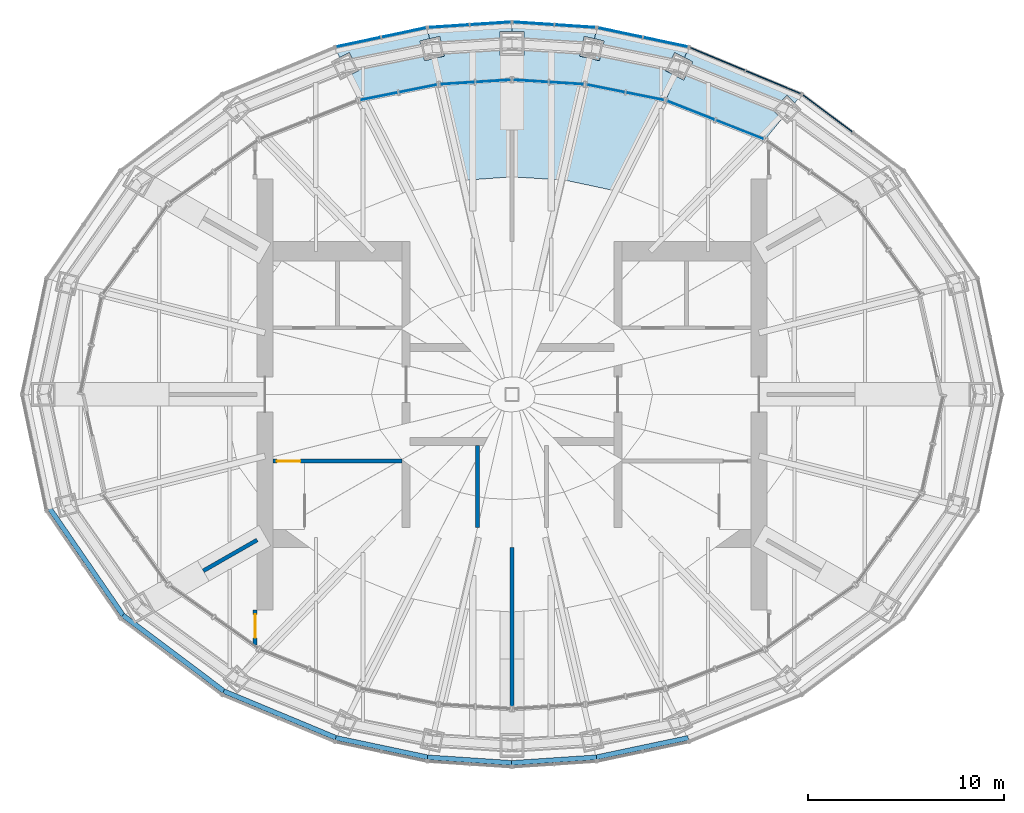
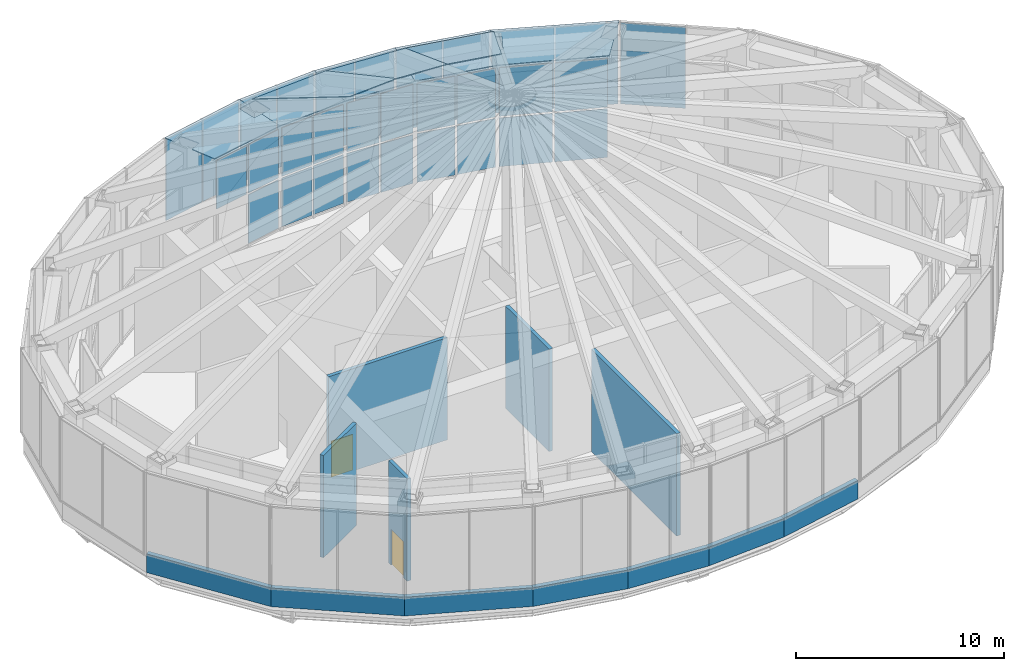
# One storey, part 18 of 21: 38 plates, 12 walls, 2 doors, 2 openings, 11 elements without a shape of their own.
"""IFC4 building model written with IfcOpenShell, lengths in metres."""

import ifcopenshell
import ifcopenshell.guid

model = None  # the IFC model being written
_history = None  # IfcOwnerHistory: only IFC2X3 demands one
_inside = {}  # id of a spatial element -> (the spatial element, [elements in it])
_under = {}  # id of a project, library or spatial element -> (it, [spatial elements below it])
_declared = {}  # id of a project -> (the project, [libraries it declares])
_typed = {}  # id of a type object -> (the type object, [elements of that type])
_made_of = {}  # id of a material, layer set ... -> (it, [elements and type objects made of it])


def new_model(schema):
    """Start an empty IFC model of exactly this schema.

    Asked for "IFC4X3", IfcOpenShell would pick the latest addendum, in which some entities
    have other attributes; the version numbers below select the first issue.
    IFC2X3 requires an IfcOwnerHistory on every rooted entity: one is made here for all.
    """
    global model, _history
    if schema == "IFC4X3":
        model = ifcopenshell.file(schema_version=(4, 3, 0, 0))
    else:
        model = ifcopenshell.file(schema=schema)
    _inside.clear()
    _under.clear()
    _declared.clear()
    _typed.clear()
    _made_of.clear()
    _history = None
    if model.schema == "IFC2X3":
        org = make("IfcOrganization", Name="unknown")
        user = make(
            "IfcPersonAndOrganization",
            ThePerson=make("IfcPerson", FamilyName="unknown"),
            TheOrganization=org,
        )
        app = make(
            "IfcApplication",
            ApplicationDeveloper=org,
            Version="unknown",
            ApplicationFullName="unknown",
            ApplicationIdentifier="unknown",
        )
        _history = make(
            "IfcOwnerHistory",
            OwningUser=user,
            OwningApplication=app,
            ChangeAction="ADDED",
            CreationDate=0,
        )
    return model


def make(cls, **values):
    """One entity of the class cls with the attributes given. An attribute that is None is left unset."""
    return model.create_entity(
        cls, **{name: value for name, value in values.items() if value is not None}
    )


def rooted(cls, **values):
    """An entity with a GlobalId (a new one), such as an element, a storey or a relation."""
    return make(cls, GlobalId=ifcopenshell.guid.new(), OwnerHistory=_history, **values)


def si_unit(unit_type, name, prefix=None):
    """IfcSIUnit, for example si_unit("LENGTHUNIT", "METRE", prefix="MILLI")."""
    return make("IfcSIUnit", UnitType=unit_type, Prefix=prefix, Name=name)


def assignment(units):
    """IfcUnitAssignment: the units of a project."""
    return None if units is None else make("IfcUnitAssignment", Units=units)


def point(xyz):
    """IfcCartesianPoint."""
    return None if xyz is None else make("IfcCartesianPoint", Coordinates=xyz)


def direction(xyz):
    """IfcDirection."""
    return None if xyz is None else make("IfcDirection", DirectionRatios=xyz)


def frame(location, z_axis=None, x_axis=None):
    """IfcAxis2Placement3D, a coordinate frame: its origin and axes. An axis left out is left unset."""
    return make(
        "IfcAxis2Placement3D",
        Location=point(location),
        Axis=direction(z_axis),
        RefDirection=direction(x_axis),
    )


def frame_2d(location, x_axis=None):
    """IfcAxis2Placement2D, a coordinate frame in the plane: its origin and x axis."""
    return make(
        "IfcAxis2Placement2D", Location=point(location), RefDirection=direction(x_axis)
    )


def origin():
    """The frame at (0, 0, 0) with its axes left unset."""
    return frame((0.0, 0.0, 0.0))


def origin_2d():
    """The frame at (0, 0) in the plane with its x axis left unset."""
    return frame_2d((0.0, 0.0))


def place(relative_to, where):
    """IfcLocalPlacement: puts the frame where relative to a parent placement (None: the world)."""
    return make(
        "IfcLocalPlacement", PlacementRelTo=relative_to, RelativePlacement=where
    )


def context(
    kind, dimensions, precision=None, world=None, true_north=None, identifier=None
):
    """IfcGeometricRepresentationContext, for example the 3D "Model" context."""
    return make(
        "IfcGeometricRepresentationContext",
        ContextIdentifier=identifier,
        ContextType=kind,
        CoordinateSpaceDimension=dimensions,
        Precision=precision,
        WorldCoordinateSystem=world,
        TrueNorth=true_north,
    )


def subcontext(parent, identifier, kind, view, scale=None):
    """IfcGeometricRepresentationSubContext, for example "Body" below "Model"."""
    return make(
        "IfcGeometricRepresentationSubContext",
        ContextIdentifier=identifier,
        ContextType=kind,
        ParentContext=parent,
        TargetScale=scale,
        TargetView=view,
    )


def project(units=None, contexts=None):
    """IfcProject with its units and contexts."""
    return rooted(
        "IfcProject",
        Name="project",
        RepresentationContexts=contexts,
        UnitsInContext=assignment(units),
    )


def spatial(cls, under=None, at=None, **own):
    """A site, building, storey or space (cls), placed at a placement, below another one or the project."""
    s = rooted(cls, ObjectPlacement=at, **own)
    if under is not None:
        _under.setdefault(under.id(), (under, []))[1].append(s)
    return s


def polyline(points):
    """IfcPolyline through the points."""
    return make("IfcPolyline", Points=[point(p) for p in points])


def profile(cls, at=None, kind="AREA", **sizes):
    """A parametric profile (cls). Its sizes go by their IFC names, for example OverallWidth=200.0."""
    return make(cls, ProfileType=kind, Position=at, **sizes)


def rectangle(**sizes):
    """IfcRectangleProfileDef."""
    return profile("IfcRectangleProfileDef", **sizes)


def outline(outer, holes=None, kind="AREA"):
    """IfcArbitraryClosedProfileDef: a profile drawn as a closed curve; with holes, ...WithVoids."""
    if holes is None:
        return make("IfcArbitraryClosedProfileDef", ProfileType=kind, OuterCurve=outer)
    return make(
        "IfcArbitraryProfileDefWithVoids",
        ProfileType=kind,
        OuterCurve=outer,
        InnerCurves=holes,
    )


def extrude(swept, where, along, depth):
    """IfcExtrudedAreaSolid: the profile swept, set in the frame where, extruded along a direction by depth."""
    return make(
        "IfcExtrudedAreaSolid",
        SweptArea=swept,
        Position=where,
        ExtrudedDirection=direction(along),
        Depth=depth,
    )


def shape(context_of_items, identifier, shape_type, items):
    """IfcShapeRepresentation: the items that make up one representation, for example the "Body"."""
    return make(
        "IfcShapeRepresentation",
        ContextOfItems=context_of_items,
        RepresentationIdentifier=identifier,
        RepresentationType=shape_type,
        Items=items,
    )


def material(Name=None, Category=None):
    """IfcMaterial."""
    return make("IfcMaterial", Name=Name, Category=Category)


def layer(
    of_material, thickness, ventilated=None, Name=None, Category=None, Priority=None
):
    """IfcMaterialLayer: one layer of a wall or slab, of a material (None: an air gap)."""
    return make(
        "IfcMaterialLayer",
        Material=of_material,
        LayerThickness=thickness,
        IsVentilated=ventilated,
        Name=Name,
        Category=Category,
        Priority=Priority,
    )


def layer_set(layers, Name=None):
    """IfcMaterialLayerSet."""
    return make("IfcMaterialLayerSet", MaterialLayers=layers, LayerSetName=Name)


def made_of(thing, what):
    """Note that an element or type object is made of a material, layer set ...; save() writes the relation."""
    if what is not None:
        _made_of.setdefault(what.id(), (what, []))[1].append(thing)
    return thing


def type_object(cls, material=None, **own):
    """A type object (cls), such as IfcWallType, which elements share."""
    return made_of(rooted(cls, **own), material)


def element(
    cls,
    number,
    at=None,
    inside=None,
    cuts=None,
    type_object=None,
    material=None,
    context=None,
    identifier="Body",
    shape_type=None,
    held_by="IfcProductDefinitionShape",
    body=None,
    shapes=None,
    **own,
):
    """One element of the class cls, such as IfcWall. Its Tag is "e" and its number.

    at: its placement. inside: the storey or other place that contains it. cuts: it is an
    opening in that element (IfcRelVoidsElement). A single representation is given by context,
    identifier, shape_type and body (its items); several are given by shapes. held_by: the class
    of the entity that holds the representations. save() writes the other relations.
    """
    e = rooted(cls, Tag="e%d" % number, ObjectPlacement=at, **own)
    if body is not None:
        shapes = [shape(context, identifier, shape_type, body)]
    if shapes is not None:
        e.Representation = make(held_by, Representations=shapes)
    if inside is not None:
        _inside.setdefault(inside.id(), (inside, []))[1].append(e)
    if cuts is not None:
        rooted(
            "IfcRelVoidsElement", RelatingBuildingElement=cuts, RelatedOpeningElement=e
        )
    if type_object is not None:
        _typed.setdefault(type_object.id(), (type_object, []))[1].append(e)
    return made_of(e, material)


def fill(opening, filler):
    """IfcRelFillsElement: the door or window that sits in an opening."""
    return rooted(
        "IfcRelFillsElement",
        RelatingOpeningElement=opening,
        RelatedBuildingElement=filler,
    )


def aggregate(whole, parts):
    """IfcRelAggregates: a whole, such as a stair, and the parts it consists of."""
    return rooted("IfcRelAggregates", RelatingObject=whole, RelatedObjects=parts)


def save(model, path):
    """Write the relations noted so far, then the file.

    IfcRelAggregates (storeys below a building ...), IfcRelContainedInSpatialStructure (elements
    in a storey), IfcRelDefinesByType, IfcRelAssociatesMaterial and IfcRelDeclares: one each for
    every whole, place, type object, material and project.
    """
    for whole, parts in _under.values():
        aggregate(whole, parts)
    for where, things in _inside.values():
        rooted(
            "IfcRelContainedInSpatialStructure",
            RelatedElements=things,
            RelatingStructure=where,
        )
    for kind, things in _typed.values():
        rooted("IfcRelDefinesByType", RelatedObjects=things, RelatingType=kind)
    for what, things in _made_of.values():
        rooted("IfcRelAssociatesMaterial", RelatedObjects=things, RelatingMaterial=what)
    for by, libraries in _declared.values():
        rooted("IfcRelDeclares", RelatingContext=by, RelatedDefinitions=libraries)
    model.write(path)


model = new_model("IFC4")

# Units and contexts
model_context = context("Model", 3, precision=1e-05, world=origin(), true_north=direction((0.0, 1.0)))
body_context = subcontext(model_context, "Body", "Model", "MODEL_VIEW")
ifc_project = project(units=[si_unit("LENGTHUNIT", "METRE"), si_unit("AREAUNIT", "SQUARE_METRE"), si_unit("VOLUMEUNIT", "CUBIC_METRE"), si_unit("PLANEANGLEUNIT", "RADIAN"), si_unit("MASSUNIT", "GRAM", prefix="KILO")], contexts=[model_context])

# Site, building, storey
site_placement = place(None, origin())
site = spatial("IfcSite", under=ifc_project, at=site_placement, CompositionType="ELEMENT")
building_placement = place(site_placement, origin())
building = spatial("IfcBuilding", under=site, at=building_placement, Name="Lantaw Convention Tower", CompositionType="ELEMENT")
storey_placement = place(building_placement, frame((0.0, 0.0, 290.39990234375)))
storey = spatial("IfcBuildingStorey", under=building, at=storey_placement, Name="L67", CompositionType="ELEMENT", Elevation=290.39990234375)

# Curtain wall, plates
ifc_material_1 = material(Name="Aluminium framed curtain wall", Category="aluminium")
curtain_wall_type_1 = type_object("IfcCurtainWallType", Name="LANTERN glazing curtain wall, pale aluminium", PredefinedType="USERDEFINED", material=ifc_material_1)
curtain_wall_1_placement = place(storey_placement, origin())
curtain_wall_1 = element("IfcCurtainWall", 1, at=curtain_wall_1_placement, inside=storey, type_object=curtain_wall_type_1, Name="LANTERN glazing curtain wall, pale aluminium L67", ObjectType="LANTERN GLAZING", PredefinedType="USERDEFINED")
ifc_material_2 = material(Name="Low-iron laminated glass", Category="glass")
ifc_layer_1 = layer(ifc_material_2, 0.035888671875)
ifc_layer_set_1 = layer_set([ifc_layer_1], Name="CW-LN panel 36")
plate_type_1 = type_object("IfcPlateType", Name="CW-LN panel 36", PredefinedType="CURTAIN_PANEL", material=ifc_layer_set_1)
plate_1_placement = place(storey_placement, frame((11.615234375, 13.50439453125, 0.10009765625), z_axis=(0.0, 0.0, 1.0), x_axis=(-0.930299050885, 0.366801957358, 0.0)))
plate_1 = element("IfcPlate", 2, at=plate_1_placement, type_object=plate_type_1, Name="CW-LN panel 1.1", PredefinedType="CURTAIN_PANEL", context=body_context, shape_type="SweptSolid", body=[
    extrude(rectangle(XDim=2.574462890625, YDim=0.035888671875, at=origin_2d()), origin(), (0.0, 0.0, 1.0), 2.85009765625),
])
plate_2_placement = place(storey_placement, frame((11.615234375, 13.50439453125, 3.050048828125), z_axis=(0.0, 0.0, 1.0), x_axis=(-0.930299050885, 0.366801957358, 0.0)))
plate_2 = element("IfcPlate", 3, at=plate_2_placement, type_object=plate_type_1, Name="CW-LN panel 1.2", PredefinedType="CURTAIN_PANEL", context=body_context, shape_type="SweptSolid", body=[
    extrude(rectangle(XDim=2.574462890625, YDim=0.035888671875, at=origin_2d()), origin(), (0.0, 0.0, 1.0), 2.85009765625),
])
plate_3_placement = place(storey_placement, frame((9.127197265625, 14.4853515625, 0.10009765625), z_axis=(0.0, 0.0, 1.0), x_axis=(-0.930299050885, 0.366801957358, 0.0)))
plate_3 = element("IfcPlate", 4, at=plate_3_placement, type_object=plate_type_1, Name="CW-LN panel 2.1", PredefinedType="CURTAIN_PANEL", context=body_context, shape_type="SweptSolid", body=[
    extrude(rectangle(XDim=2.574462890625, YDim=0.035888671875, at=origin_2d()), origin(), (0.0, 0.0, 1.0), 2.85009765625),
])
plate_4_placement = place(storey_placement, frame((9.127197265625, 14.4853515625, 3.050048828125), z_axis=(0.0, 0.0, 1.0), x_axis=(-0.930299050885, 0.366801957358, 0.0)))
plate_4 = element("IfcPlate", 5, at=plate_4_placement, type_object=plate_type_1, Name="CW-LN panel 2.2", PredefinedType="CURTAIN_PANEL", context=body_context, shape_type="SweptSolid", body=[
    extrude(rectangle(XDim=2.574462890625, YDim=0.035888671875, at=origin_2d()), origin(), (0.0, 0.0, 1.0), 2.85009765625),
])
aggregate(curtain_wall_1, [plate_1, plate_2, plate_3, plate_4])

curtain_wall_2_placement = place(storey_placement, origin())
curtain_wall_2 = element("IfcCurtainWall", 6, at=curtain_wall_2_placement, inside=storey, type_object=curtain_wall_type_1, Name="LANTERN glazing curtain wall, pale aluminium L67", ObjectType="LANTERN GLAZING", PredefinedType="USERDEFINED")
plate_5_placement = place(storey_placement, frame((6.789306640625, 15.2041015625, 0.10009765625), z_axis=(0.0, 0.0, 1.0), x_axis=(-0.980530423622, 0.196367228305, 0.0)))
plate_5 = element("IfcPlate", 7, at=plate_5_placement, type_object=plate_type_1, Name="CW-LN panel 1.1", PredefinedType="CURTAIN_PANEL", context=body_context, shape_type="SweptSolid", body=[
    extrude(rectangle(XDim=1.936279296875, YDim=0.035888671875, at=origin_2d()), origin(), (0.0, 0.0, 1.0), 2.85009765625),
])
plate_6_placement = place(storey_placement, frame((6.789306640625, 15.2041015625, 3.050048828125), z_axis=(0.0, 0.0, 1.0), x_axis=(-0.980530423622, 0.196367228305, 0.0)))
plate_6 = element("IfcPlate", 8, at=plate_6_placement, type_object=plate_type_1, Name="CW-LN panel 1.2", PredefinedType="CURTAIN_PANEL", context=body_context, shape_type="SweptSolid", body=[
    extrude(rectangle(XDim=1.936279296875, YDim=0.035888671875, at=origin_2d()), origin(), (0.0, 0.0, 1.0), 2.85009765625),
])
plate_7_placement = place(storey_placement, frame((4.792724609375, 15.60400390625, 0.10009765625), z_axis=(0.0, 0.0, 1.0), x_axis=(-0.980530423622, 0.196367228305, 0.0)))
plate_7 = element("IfcPlate", 9, at=plate_7_placement, type_object=plate_type_1, Name="CW-LN panel 2.1", PredefinedType="CURTAIN_PANEL", context=body_context, shape_type="SweptSolid", body=[
    extrude(rectangle(XDim=1.936279296875, YDim=0.035888671875, at=origin_2d()), origin(), (0.0, 0.0, 1.0), 2.85009765625),
])
plate_8_placement = place(storey_placement, frame((4.792724609375, 15.60400390625, 3.050048828125), z_axis=(0.0, 0.0, 1.0), x_axis=(-0.980530423622, 0.196367228305, 0.0)))
plate_8 = element("IfcPlate", 10, at=plate_8_placement, type_object=plate_type_1, Name="CW-LN panel 2.2", PredefinedType="CURTAIN_PANEL", context=body_context, shape_type="SweptSolid", body=[
    extrude(rectangle(XDim=1.936279296875, YDim=0.035888671875, at=origin_2d()), origin(), (0.0, 0.0, 1.0), 2.85009765625),
])
aggregate(curtain_wall_2, [plate_5, plate_6, plate_7, plate_8])

curtain_wall_3_placement = place(storey_placement, origin())
curtain_wall_3 = element("IfcCurtainWall", 11, at=curtain_wall_3_placement, inside=storey, type_object=curtain_wall_type_1, Name="LANTERN glazing curtain wall, pale aluminium L67", ObjectType="LANTERN GLAZING", PredefinedType="USERDEFINED")
plate_9_placement = place(storey_placement, frame((2.783935546875, 15.873779296875, 0.10009765625), z_axis=(0.0, 0.0, 1.0), x_axis=(-0.998045676091, 0.062488626454, 0.0)))
plate_9 = element("IfcPlate", 12, at=plate_9_placement, type_object=plate_type_1, Name="CW-LN panel 1.1", PredefinedType="CURTAIN_PANEL", context=body_context, shape_type="SweptSolid", body=[
    extrude(rectangle(XDim=1.726318359375, YDim=0.035888671875, at=origin_2d()), origin(), (0.0, 0.0, 1.0), 2.85009765625),
])
plate_10_placement = place(storey_placement, frame((2.783935546875, 15.873779296875, 3.050048828125), z_axis=(0.0, 0.0, 1.0), x_axis=(-0.998045676091, 0.062488626454, 0.0)))
plate_10 = element("IfcPlate", 13, at=plate_10_placement, type_object=plate_type_1, Name="CW-LN panel 1.2", PredefinedType="CURTAIN_PANEL", context=body_context, shape_type="SweptSolid", body=[
    extrude(rectangle(XDim=1.726318359375, YDim=0.035888671875, at=origin_2d()), origin(), (0.0, 0.0, 1.0), 2.85009765625),
])
plate_11_placement = place(storey_placement, frame((0.961181640625, 15.988037109375, 0.10009765625), z_axis=(0.0, 0.0, 1.0), x_axis=(-0.998045676091, 0.062488626454, 0.0)))
plate_11 = element("IfcPlate", 14, at=plate_11_placement, type_object=plate_type_1, Name="CW-LN panel 2.1", PredefinedType="CURTAIN_PANEL", context=body_context, shape_type="SweptSolid", body=[
    extrude(rectangle(XDim=1.726318359375, YDim=0.035888671875, at=origin_2d()), origin(), (0.0, 0.0, 1.0), 2.85009765625),
])
plate_12_placement = place(storey_placement, frame((0.961181640625, 15.988037109375, 3.050048828125), z_axis=(0.0, 0.0, 1.0), x_axis=(-0.998045676091, 0.062488626454, 0.0)))
plate_12 = element("IfcPlate", 15, at=plate_12_placement, type_object=plate_type_1, Name="CW-LN panel 2.2", PredefinedType="CURTAIN_PANEL", context=body_context, shape_type="SweptSolid", body=[
    extrude(rectangle(XDim=1.726318359375, YDim=0.035888671875, at=origin_2d()), origin(), (0.0, 0.0, 1.0), 2.85009765625),
])
aggregate(curtain_wall_3, [plate_9, plate_10, plate_11, plate_12])

curtain_wall_4_placement = place(storey_placement, origin())
curtain_wall_4 = element("IfcCurtainWall", 16, at=curtain_wall_4_placement, inside=storey, type_object=curtain_wall_type_1, Name="LANTERN glazing curtain wall, pale aluminium L67", ObjectType="LANTERN GLAZING", PredefinedType="USERDEFINED")
plate_13_placement = place(storey_placement, frame((-0.961181640625, 15.988037109375, 0.10009765625), z_axis=(0.0, 0.0, 1.0), x_axis=(-0.998045676091, -0.062488626454, 0.0)))
plate_13 = element("IfcPlate", 17, at=plate_13_placement, type_object=plate_type_1, Name="CW-LN panel 1.1", PredefinedType="CURTAIN_PANEL", context=body_context, shape_type="SweptSolid", body=[
    extrude(rectangle(XDim=1.726318359375, YDim=0.035888671875, at=origin_2d()), origin(), (0.0, 0.0, 1.0), 2.85009765625),
])
plate_14_placement = place(storey_placement, frame((-0.961181640625, 15.988037109375, 3.050048828125), z_axis=(0.0, 0.0, 1.0), x_axis=(-0.998045676091, -0.062488626454, 0.0)))
plate_14 = element("IfcPlate", 18, at=plate_14_placement, type_object=plate_type_1, Name="CW-LN panel 1.2", PredefinedType="CURTAIN_PANEL", context=body_context, shape_type="SweptSolid", body=[
    extrude(rectangle(XDim=1.726318359375, YDim=0.035888671875, at=origin_2d()), origin(), (0.0, 0.0, 1.0), 2.85009765625),
])
plate_15_placement = place(storey_placement, frame((-2.783935546875, 15.873779296875, 0.10009765625), z_axis=(0.0, 0.0, 1.0), x_axis=(-0.998045676091, -0.062488626454, 0.0)))
plate_15 = element("IfcPlate", 19, at=plate_15_placement, type_object=plate_type_1, Name="CW-LN panel 2.1", PredefinedType="CURTAIN_PANEL", context=body_context, shape_type="SweptSolid", body=[
    extrude(rectangle(XDim=1.726318359375, YDim=0.035888671875, at=origin_2d()), origin(), (0.0, 0.0, 1.0), 2.85009765625),
])
plate_16_placement = place(storey_placement, frame((-2.783935546875, 15.873779296875, 3.050048828125), z_axis=(0.0, 0.0, 1.0), x_axis=(-0.998045676091, -0.062488626454, 0.0)))
plate_16 = element("IfcPlate", 20, at=plate_16_placement, type_object=plate_type_1, Name="CW-LN panel 2.2", PredefinedType="CURTAIN_PANEL", context=body_context, shape_type="SweptSolid", body=[
    extrude(rectangle(XDim=1.726318359375, YDim=0.035888671875, at=origin_2d()), origin(), (0.0, 0.0, 1.0), 2.85009765625),
])
aggregate(curtain_wall_4, [plate_13, plate_14, plate_15, plate_16])

curtain_wall_5_placement = place(storey_placement, origin())
curtain_wall_5 = element("IfcCurtainWall", 21, at=curtain_wall_5_placement, inside=storey, type_object=curtain_wall_type_1, Name="LANTERN glazing curtain wall, pale aluminium L67", ObjectType="LANTERN GLAZING", PredefinedType="USERDEFINED")
plate_17_placement = place(storey_placement, frame((-4.792724609375, 15.60400390625, 0.10009765625), z_axis=(0.0, 0.0, 1.0), x_axis=(-0.980530423622, -0.196367228305, 0.0)))
plate_17 = element("IfcPlate", 22, at=plate_17_placement, type_object=plate_type_1, Name="CW-LN panel 1.1", PredefinedType="CURTAIN_PANEL", context=body_context, shape_type="SweptSolid", body=[
    extrude(rectangle(XDim=1.936279296875, YDim=0.035888671875, at=origin_2d()), origin(), (0.0, 0.0, 1.0), 2.85009765625),
])
plate_18_placement = place(storey_placement, frame((-4.792724609375, 15.60400390625, 3.050048828125), z_axis=(0.0, 0.0, 1.0), x_axis=(-0.980530423622, -0.196367228305, 0.0)))
plate_18 = element("IfcPlate", 23, at=plate_18_placement, type_object=plate_type_1, Name="CW-LN panel 1.2", PredefinedType="CURTAIN_PANEL", context=body_context, shape_type="SweptSolid", body=[
    extrude(rectangle(XDim=1.936279296875, YDim=0.035888671875, at=origin_2d()), origin(), (0.0, 0.0, 1.0), 2.85009765625),
])
plate_19_placement = place(storey_placement, frame((-6.789306640625, 15.2041015625, 3.050048828125), z_axis=(0.0, 0.0, 1.0), x_axis=(-0.980530423622, -0.196367228305, 0.0)))
plate_19 = element("IfcPlate", 24, at=plate_19_placement, type_object=plate_type_1, Name="CW-LN panel 2.2", PredefinedType="CURTAIN_PANEL", context=body_context, shape_type="SweptSolid", body=[
    extrude(rectangle(XDim=1.936279296875, YDim=0.035888671875, at=origin_2d()), origin(), (0.0, 0.0, 1.0), 2.85009765625),
])
aggregate(curtain_wall_5, [plate_17, plate_18, plate_19])

# Curtain wall, plate
curtain_wall_type_2 = type_object("IfcCurtainWallType", Name="Plant floor louvre wall, pale aluminium", PredefinedType="USERDEFINED", material=ifc_material_1)
curtain_wall_6_placement = place(storey_placement, origin())
curtain_wall_6 = element("IfcCurtainWall", 25, at=curtain_wall_6_placement, inside=storey, type_object=curtain_wall_type_2, Name="Plant floor louvre wall, pale aluminium L67", ObjectType="LOUVRE WALL", PredefinedType="USERDEFINED")
ifc_material_3 = material(Name="Aluminium louvre blades", Category="aluminium")
ifc_layer_2 = layer(ifc_material_3, 0.050048828125)
ifc_layer_set_2 = layer_set([ifc_layer_2], Name="CW-LV panel 50")
plate_type_2 = type_object("IfcPlateType", Name="CW-LV panel 50", PredefinedType="CURTAIN_PANEL", material=ifc_layer_set_2)
plate_20_placement = place(storey_placement, frame((16.103271484375, 14.33203125, 1.169921875), z_axis=(0.0, 0.0, 1.0), x_axis=(-0.799517528732, 0.600642756762, 0.0)))
plate_20 = element("IfcPlate", 26, at=plate_20_placement, type_object=plate_type_2, Name="CW-LV panel 2.1", PredefinedType="CURTAIN_PANEL", context=body_context, shape_type="SweptSolid", body=[
    extrude(rectangle(XDim=3.140869140625, YDim=0.050048828125, at=origin_2d()), origin(), (0.0, 0.0, 1.0), 4.760009765625),
])
aggregate(curtain_wall_6, [plate_20])

# Curtain wall, plates
curtain_wall_7_placement = place(storey_placement, origin())
curtain_wall_7 = element("IfcCurtainWall", 27, at=curtain_wall_7_placement, inside=storey, type_object=curtain_wall_type_2, Name="Plant floor louvre wall, pale aluminium L67", ObjectType="LOUVRE WALL", PredefinedType="USERDEFINED")
plate_21_placement = place(storey_placement, frame((13.334716796875, 15.92431640625, 1.169921875), z_axis=(0.0, 0.0, 1.0), x_axis=(-0.923141777124, 0.384459697924, 0.0)))
plate_21 = element("IfcPlate", 28, at=plate_21_placement, type_object=plate_type_2, Name="CW-LV panel 1.1", PredefinedType="CURTAIN_PANEL", context=body_context, shape_type="SweptSolid", body=[
    extrude(rectangle(XDim=3.01708984375, YDim=0.050048828125, at=origin_2d()), origin(), (0.0, 0.0, 1.0), 4.760009765625),
])
plate_22_placement = place(storey_placement, frame((10.48486328125, 17.111083984375, 1.169921875), z_axis=(0.0, 0.0, 1.0), x_axis=(-0.923141777124, 0.384459697924, 0.0)))
plate_22 = element("IfcPlate", 29, at=plate_22_placement, type_object=plate_type_2, Name="CW-LV panel 2.1", PredefinedType="CURTAIN_PANEL", context=body_context, shape_type="SweptSolid", body=[
    extrude(rectangle(XDim=3.01708984375, YDim=0.050048828125, at=origin_2d()), origin(), (0.0, 0.0, 1.0), 4.760009765625),
])
aggregate(curtain_wall_7, [plate_21, plate_22])

curtain_wall_8_placement = place(storey_placement, origin())
curtain_wall_8 = element("IfcCurtainWall", 30, at=curtain_wall_8_placement, inside=storey, type_object=curtain_wall_type_2, Name="Plant floor louvre wall, pale aluminium L67", ObjectType="LOUVRE WALL", PredefinedType="USERDEFINED")
plate_23_placement = place(storey_placement, frame((7.833740234375, 17.970703125, 1.169921875), z_axis=(0.0, 0.0, 1.0), x_axis=(-0.978332497083, 0.207039911975, 0.0)))
plate_23 = element("IfcPlate", 31, at=plate_23_placement, type_object=plate_type_2, Name="CW-LV panel 1.1", PredefinedType="CURTAIN_PANEL", context=body_context, shape_type="SweptSolid", body=[
    extrude(rectangle(XDim=2.30078125, YDim=0.050048828125, at=origin_2d()), origin(), (0.0, 0.0, 1.0), 4.760009765625),
])
plate_24_placement = place(storey_placement, frame((5.514404296875, 18.46142578125, 1.169921875), z_axis=(0.0, 0.0, 1.0), x_axis=(-0.978332497083, 0.207039911975, 0.0)))
plate_24 = element("IfcPlate", 32, at=plate_24_placement, type_object=plate_type_2, Name="CW-LV panel 2.1", PredefinedType="CURTAIN_PANEL", context=body_context, shape_type="SweptSolid", body=[
    extrude(rectangle(XDim=2.30078125, YDim=0.050048828125, at=origin_2d()), origin(), (0.0, 0.0, 1.0), 4.760009765625),
])
aggregate(curtain_wall_8, [plate_23, plate_24])

curtain_wall_9_placement = place(storey_placement, origin())
curtain_wall_9 = element("IfcCurtainWall", 33, at=curtain_wall_9_placement, inside=storey, type_object=curtain_wall_type_2, Name="Plant floor louvre wall, pale aluminium L67", ObjectType="LOUVRE WALL", PredefinedType="USERDEFINED")
plate_25_placement = place(storey_placement, frame((3.222900390625, 18.78662109375, 1.169921875), z_axis=(0.0, 0.0, 1.0), x_axis=(-0.997817975525, 0.066024902273, 0.0)))
plate_25 = element("IfcPlate", 34, at=plate_25_placement, type_object=plate_type_2, Name="CW-LV panel 1.1", PredefinedType="CURTAIN_PANEL", context=body_context, shape_type="SweptSolid", body=[
    extrude(rectangle(XDim=2.06005859375, YDim=0.050048828125, at=origin_2d()), origin(), (0.0, 0.0, 1.0), 4.760009765625),
])
plate_26_placement = place(storey_placement, frame((1.09765625, 18.927490234375, 1.169921875), z_axis=(0.0, 0.0, 1.0), x_axis=(-0.997817975525, 0.066024902273, 0.0)))
plate_26 = element("IfcPlate", 35, at=plate_26_placement, type_object=plate_type_2, Name="CW-LV panel 2.1", PredefinedType="CURTAIN_PANEL", context=body_context, shape_type="SweptSolid", body=[
    extrude(rectangle(XDim=2.06005859375, YDim=0.050048828125, at=origin_2d()), origin(), (0.0, 0.0, 1.0), 4.760009765625),
])
aggregate(curtain_wall_9, [plate_25, plate_26])

curtain_wall_10_placement = place(storey_placement, origin())
curtain_wall_10 = element("IfcCurtainWall", 36, at=curtain_wall_10_placement, inside=storey, type_object=curtain_wall_type_2, Name="Plant floor louvre wall, pale aluminium L67", ObjectType="LOUVRE WALL", PredefinedType="USERDEFINED")
plate_27_placement = place(storey_placement, frame((-1.09765625, 18.927490234375, 1.169921875), z_axis=(0.0, 0.0, 1.0), x_axis=(-0.997817975525, -0.066024902273, 0.0)))
plate_27 = element("IfcPlate", 37, at=plate_27_placement, type_object=plate_type_2, Name="CW-LV panel 1.1", PredefinedType="CURTAIN_PANEL", context=body_context, shape_type="SweptSolid", body=[
    extrude(rectangle(XDim=2.06005859375, YDim=0.050048828125, at=origin_2d()), origin(), (0.0, 0.0, 1.0), 4.760009765625),
])
plate_28_placement = place(storey_placement, frame((-3.222900390625, 18.78662109375, 1.169921875), z_axis=(0.0, 0.0, 1.0), x_axis=(-0.997817975525, -0.066024902273, 0.0)))
plate_28 = element("IfcPlate", 38, at=plate_28_placement, type_object=plate_type_2, Name="CW-LV panel 2.1", PredefinedType="CURTAIN_PANEL", context=body_context, shape_type="SweptSolid", body=[
    extrude(rectangle(XDim=2.06005859375, YDim=0.050048828125, at=origin_2d()), origin(), (0.0, 0.0, 1.0), 4.760009765625),
])
aggregate(curtain_wall_10, [plate_27, plate_28])

curtain_wall_11_placement = place(storey_placement, origin())
curtain_wall_11 = element("IfcCurtainWall", 39, at=curtain_wall_11_placement, inside=storey, type_object=curtain_wall_type_2, Name="Plant floor louvre wall, pale aluminium L67", ObjectType="LOUVRE WALL", PredefinedType="USERDEFINED")
plate_29_placement = place(storey_placement, frame((-5.514404296875, 18.46142578125, 1.169921875), z_axis=(0.0, 0.0, 1.0), x_axis=(-0.978332497083, -0.207039911975, 0.0)))
plate_29 = element("IfcPlate", 40, at=plate_29_placement, type_object=plate_type_2, Name="CW-LV panel 1.1", PredefinedType="CURTAIN_PANEL", context=body_context, shape_type="SweptSolid", body=[
    extrude(rectangle(XDim=2.30078125, YDim=0.050048828125, at=origin_2d()), origin(), (0.0, 0.0, 1.0), 4.760009765625),
])
plate_30_placement = place(storey_placement, frame((-7.833740234375, 17.970703125, 1.169921875), z_axis=(0.0, 0.0, 1.0), x_axis=(-0.978332497083, -0.207039911975, 0.0)))
plate_30 = element("IfcPlate", 41, at=plate_30_placement, type_object=plate_type_2, Name="CW-LV panel 2.1", PredefinedType="CURTAIN_PANEL", context=body_context, shape_type="SweptSolid", body=[
    extrude(rectangle(XDim=2.30078125, YDim=0.050048828125, at=origin_2d()), origin(), (0.0, 0.0, 1.0), 4.760009765625),
])
aggregate(curtain_wall_11, [plate_29, plate_30])

# Plates
ifc_material_4 = material(Name="Aluminium composite panel, pale silver", Category="aluminium")
ifc_layer_3 = layer(ifc_material_4, 0.050048828125)
ifc_layer_set_3 = layer_set([ifc_layer_3], Name="LANTERN eaves panel 50")
plate_type_3 = type_object("IfcPlateType", Name="LANTERN eaves panel 50", PredefinedType="SHEET", material=ifc_layer_set_3)
plate_31_placement = place(storey_placement, frame((0.0, 0.0, 6.0)))
element("IfcPlate", 42, at=plate_31_placement, inside=storey, type_object=plate_type_3, Name="LANTERN eaves panel", PredefinedType="SHEET", context=body_context, shape_type="SweptSolid", body=[
    extrude(outline(polyline([(12.90576171875, 12.99560546875), (13.7666015625, 14.055419921875), (13.29248046875, 14.51318359375), (14.014892578125, 15.261474609375), (14.4248046875, 14.865478515625), (14.791748046875, 15.3173828125), (9.02783203125, 17.718017578125), (8.794921875, 17.185546875), (9.227783203125, 16.965087890625), (8.755615234375, 16.038330078125), (8.37744140625, 16.231201171875), (7.83642578125, 14.994384765625), (12.90576171875, 12.99560546875)])), origin(), (0.0, 0.0, 1.0), 0.050048828125),
])
plate_32_placement = place(storey_placement, frame((0.0, 0.0, 6.0)))
element("IfcPlate", 43, at=plate_32_placement, inside=storey, type_object=plate_type_3, Name="LANTERN eaves panel", PredefinedType="SHEET", context=body_context, shape_type="SweptSolid", body=[
    extrude(outline(polyline([(7.83642578125, 14.994384765625), (8.37744140625, 16.231201171875), (7.828857421875, 16.510498046875), (8.301025390625, 17.437255859375), (8.794921875, 17.185546875), (9.02783203125, 17.718017578125), (4.320556640625, 18.714111328125), (4.20751953125, 18.14501953125), (4.69677734375, 18.031982421875), (4.462646484375, 17.0185546875), (4.005126953125, 17.124267578125), (3.745361328125, 15.813720703125), (7.83642578125, 14.994384765625)])), origin(), (0.0, 0.0, 1.0), 0.050048828125),
])
plate_33_placement = place(storey_placement, frame((0.0, 0.0, 6.0)))
element("IfcPlate", 44, at=plate_33_placement, inside=storey, type_object=plate_type_3, Name="LANTERN eaves panel", PredefinedType="SHEET", context=body_context, shape_type="SweptSolid", body=[
    extrude(outline(polyline([(3.745361328125, 15.813720703125), (4.005126953125, 17.124267578125), (3.449462890625, 17.252685546875), (3.683349609375, 18.265869140625), (4.20751953125, 18.14501953125), (4.320556640625, 18.714111328125), (0.0, 19.0), (0.0, 18.52001953125), (0.6201171875, 18.52001953125), (0.6201171875, 17.280029296875), (0.0, 17.280029296875), (0.0, 16.048095703125), (3.745361328125, 15.813720703125)])), origin(), (0.0, 0.0, 1.0), 0.050048828125),
])
plate_34_placement = place(storey_placement, frame((0.0, 0.0, 6.0)))
element("IfcPlate", 45, at=plate_34_placement, inside=storey, type_object=plate_type_3, Name="LANTERN eaves panel", PredefinedType="SHEET", context=body_context, shape_type="SweptSolid", body=[
    extrude(outline(polyline([(0.0, 16.048095703125), (0.0, 17.280029296875), (-0.6201171875, 17.280029296875), (-0.6201171875, 18.52001953125), (0.0, 18.52001953125), (0.0, 19.0), (-4.320556640625, 18.714111328125), (-4.20751953125, 18.14501953125), (-3.683349609375, 18.265869140625), (-3.449462890625, 17.252685546875), (-4.005126953125, 17.124267578125), (-3.745361328125, 15.813720703125), (0.0, 16.048095703125)])), origin(), (0.0, 0.0, 1.0), 0.050048828125),
])
plate_35_placement = place(storey_placement, frame((0.0, 0.0, 6.0)))
element("IfcPlate", 46, at=plate_35_placement, inside=storey, type_object=plate_type_3, Name="LANTERN eaves panel", PredefinedType="SHEET", context=body_context, shape_type="SweptSolid", body=[
    extrude(outline(polyline([(-3.745361328125, 15.813720703125), (-4.005126953125, 17.124267578125), (-4.462646484375, 17.0185546875), (-4.69677734375, 18.031982421875), (-4.20751953125, 18.14501953125), (-4.320556640625, 18.714111328125), (-9.02783203125, 17.718017578125), (-8.794921875, 17.185546875), (-8.301025390625, 17.437255859375), (-7.828857421875, 16.510498046875), (-8.37744140625, 16.231201171875), (-7.83642578125, 14.994384765625), (-3.745361328125, 15.813720703125)])), origin(), (0.0, 0.0, 1.0), 0.050048828125),
])
ifc_layer_4 = layer(ifc_material_2, 0.035888671875)
ifc_layer_set_4 = layer_set([ifc_layer_4], Name="LANTERN roof glass 36")
plate_type_4 = type_object("IfcPlateType", Name="LANTERN roof glass 36", PredefinedType="SHEET", material=ifc_layer_set_4)
plate_36_placement = place(storey_placement, frame((8.636474609375, 16.7158203125, 6.720947265625), z_axis=(0.093688324854, 0.461205678051, 0.882333168548), x_axis=(-0.978846613116, 0.204573528488, -0.002996570389)))
element("IfcPlate", 47, at=plate_36_placement, inside=storey, type_object=plate_type_4, Name="LANTERN roof glass", PredefinedType="SHEET", context=body_context, shape_type="SweptSolid", body=[
    extrude(outline(polyline([(0.0, 0.0), (4.471787780557971, -2.5153490401663703e-16), (4.604421806838632, 7.7963195626174855), (1.860017313256896, 7.807436148649806), (0.0, 0.0)])), origin(), (0.0, 0.0, -1.0), 0.035888671875),
])
plate_37_placement = place(storey_placement, frame((4.25927734375, 17.630615234375, 6.70751953125), z_axis=(0.029996793539, 0.474497755749, 0.879745458736), x_axis=(-0.99800743671, 0.063096404543, -2.363549e-06)))
element("IfcPlate", 48, at=plate_37_placement, inside=storey, type_object=plate_type_4, Name="LANTERN roof glass", PredefinedType="SHEET", context=body_context, shape_type="SweptSolid", body=[
    extrude(outline(polyline([(0.0, 0.0), (4.267781512463604, 5.551115123125783e-17), (3.8385909743727, 7.71637183789863), (1.121753994858845, 7.71633711570797), (0.0, 0.0)])), origin(), (0.0, 0.0, -1.0), 0.035888671875),
])
plate_38_placement = place(storey_placement, frame((0.0, 17.89990234375, 6.70751953125), z_axis=(-0.030046812644, 0.474493025277, 0.879746303211), x_axis=(-0.997611504749, -0.06900288302, 0.003144475552)))
element("IfcPlate", 49, at=plate_38_placement, inside=storey, type_object=plate_type_4, Name="LANTERN roof glass", PredefinedType="SHEET", context=body_context, shape_type="SweptSolid", body=[
    extrude(outline(polyline([(0.0, 0.0), (4.2636008437351345, -3.8163916471489756e-17), (3.1938283518505846, 7.7236663312260445), (0.48089388621547163, 7.713322236784032), (0.0, 0.0)])), origin(), (0.0, 0.0, -1.0), 0.035888671875),
])

# Wall, opening, door
ifc_material_5 = material(Name="Concrete C60/75", Category="concrete")
ifc_layer_5 = layer(ifc_material_5, 0.199951171875)
ifc_layer_set_5 = layer_set([ifc_layer_5], Name="Core wall 200")
wall_type_1 = type_object("IfcWallType", Name="Core wall 200", PredefinedType="SHEAR", material=ifc_layer_set_5)
wall_1_placement = place(storey_placement, frame((-5.60009765625, -3.39990234375, 0.0), z_axis=(0.0, 0.0, 1.0), x_axis=(-1.0, 0.0, 0.0)))
wall_1 = element("IfcWall", 50, at=wall_1_placement, inside=storey, type_object=wall_type_1, Name="Core wall WS", PredefinedType="SHEAR", context=body_context, shape_type="SweptSolid", body=[
    extrude(rectangle(XDim=6.599853515625, YDim=0.199951171875, at=frame_2d((3.2998046875, 0.0))), origin(), (0.0, 0.0, 1.0), 6.0),
])
opening_1_placement = place(wall_1_placement, frame((5.199951171875, 0.0, 0.0)))
opening_1 = element("IfcOpeningElement", 51, at=opening_1_placement, cuts=wall_1, Name="Opening L67.04", PredefinedType="OPENING", context=body_context, shape_type="SweptSolid", body=[
    extrude(rectangle(XDim=1.199951171875, YDim=2.10009765625, at=frame_2d((0.60009765625, 1.050048828125))), frame((0.0, 0.10986328125, 0.0), z_axis=(0.0, -1.0, 0.0), x_axis=(1.0, 0.0, 0.0)), (0.0, 0.0, 1.0), 0.219970703125),
])
ifc_material_6 = material(Name="Steel, fire rated", Category="steel")
door_type_1 = type_object("IfcDoorType", Name="Stair door FD90", OperationType="SINGLE_SWING_RIGHT", PredefinedType="DOOR", material=ifc_material_6)
door_1_placement = place(opening_1_placement, origin())
door_1 = element("IfcDoor", 52, at=door_1_placement, inside=storey, type_object=door_type_1, Name="Exit stair door", OperationType="SINGLE_SWING_RIGHT", OverallHeight=2.10009765625, OverallWidth=1.199951171875, PredefinedType="DOOR", context=body_context, shape_type="SweptSolid", body=[
    extrude(rectangle(XDim=1.199951171875, YDim=2.10009765625, at=frame_2d((0.60009765625, 1.050048828125))), frame((0.0, 0.02490234375, 0.0), z_axis=(0.0, -1.0, 0.0), x_axis=(1.0, 0.0, 0.0)), (0.0, 0.0, 1.0), 0.050048828125),
])
fill(opening_1, door_1)

# Walls
ifc_material_7 = material(Name="Concrete C35/45 with aluminium coping", Category="concrete")
ifc_layer_6 = layer(ifc_material_7, 0.25)
ifc_layer_set_6 = layer_set([ifc_layer_6], Name="Parapet 250")
wall_type_2 = type_object("IfcWallType", Name="Parapet 250", PredefinedType="PARAPET", material=ifc_layer_set_6)
wall_2_placement = place(storey_placement, frame((-23.578125, -5.825927734375, 0.0), z_axis=(0.0, 0.0, 1.0), x_axis=(0.565946016037, -0.824442300547, 0.0)))
element("IfcWall", 53, at=wall_2_placement, inside=storey, type_object=wall_type_2, Name="Ledge parapet", PredefinedType="PARAPET", context=body_context, shape_type="SweptSolid", body=[
    extrude(rectangle(XDim=6.633056640625, YDim=0.25, at=frame_2d((3.31640625, 0.0))), origin(), (0.0, 0.0, 1.0), 1.10009765625),
])
wall_3_placement = place(storey_placement, frame((-19.8515625, -11.26611328125, 0.0), z_axis=(0.0, 0.0, 1.0), x_axis=(0.799529087679, -0.600627370301, 0.0)))
element("IfcWall", 54, at=wall_3_placement, inside=storey, type_object=wall_type_2, Name="Ledge parapet", PredefinedType="PARAPET", context=body_context, shape_type="SweptSolid", body=[
    extrude(rectangle(XDim=6.4736328125, YDim=0.25, at=frame_2d((3.23681640625, 0.0))), origin(), (0.0, 0.0, 1.0), 1.10009765625),
])
wall_4_placement = place(storey_placement, frame((-14.710205078125, -15.134765625, 0.0), z_axis=(0.0, 0.0, 1.0), x_axis=(0.923135945789, -0.384473699481, 0.0)))
element("IfcWall", 55, at=wall_4_placement, inside=storey, type_object=wall_type_2, Name="Ledge parapet", PredefinedType="PARAPET", context=body_context, shape_type="SweptSolid", body=[
    extrude(rectangle(XDim=6.240234375, YDim=0.25, at=frame_2d((3.1201171875, 0.0))), origin(), (0.0, 0.0, 1.0), 1.10009765625),
])
wall_5_placement = place(storey_placement, frame((-8.987548828125, -17.52197265625, 0.0), z_axis=(0.0, 0.0, 1.0), x_axis=(0.978335298676, -0.207026673074, 0.0)))
element("IfcWall", 56, at=wall_5_placement, inside=storey, type_object=wall_type_2, Name="Ledge parapet", PredefinedType="PARAPET", context=body_context, shape_type="SweptSolid", body=[
    extrude(rectangle(XDim=4.818603515625, YDim=0.25, at=frame_2d((2.4091796875, 0.0))), origin(), (0.0, 0.0, 1.0), 1.10009765625),
])
for number, where, z_axis, x_axis, name in (
    (57, (-4.31298828125, -18.51416015625, 0.0), (0.0, 0.0, 1.0), (0.997819354924, -0.066004052439, 0.0), "Ledge parapet"),
    (58, (-0.02001953125, -18.80078125, 0.0), (0.0, 0.0, 1.0), (0.997819354924, 0.066004052439, 0.0), "Ledge parapet"),
):
    element("IfcWall", number, at=place(storey_placement, frame(where, z_axis=z_axis, x_axis=x_axis)), inside=storey, type_object=wall_type_2, Name=name, PredefinedType="PARAPET", context=body_context, shape_type="SweptSolid", body=[
        extrude(rectangle(XDim=4.342529296875, YDim=0.25, at=frame_2d((2.17138671875, 0.0))), origin(), (0.0, 0.0, 1.0), 1.10009765625),
    ])
wall_6_placement = place(storey_placement, frame((4.2734375, -18.51953125, 0.0), z_axis=(0.0, 0.0, 1.0), x_axis=(0.978335298676, 0.207026673074, 0.0)))
element("IfcWall", 59, at=wall_6_placement, inside=storey, type_object=wall_type_2, Name="Ledge parapet", PredefinedType="PARAPET", context=body_context, shape_type="SweptSolid", body=[
    extrude(rectangle(XDim=4.818603515625, YDim=0.25, at=frame_2d((2.4091796875, 0.0))), origin(), (0.0, 0.0, 1.0), 1.10009765625),
])

# Wall, opening, door
ifc_material_8 = material(Name="Concrete blockwork, fire rated", Category="masonry")
ifc_layer_7 = layer(ifc_material_8, 0.199951171875)
ifc_layer_set_7 = layer_set([ifc_layer_7], Name="Plant room wall 200 EI 120")
wall_type_3 = type_object("IfcWallType", Name="Plant room wall 200 EI 120", PredefinedType="SOLIDWALL", material=ifc_layer_set_7)
wall_7_placement = place(storey_placement, frame((-13.10009765625, -11.0, 0.0), z_axis=(0.0, 0.0, 1.0), x_axis=(0.0, -1.0, 0.0)))
wall_7 = element("IfcWall", 60, at=wall_7_placement, inside=storey, type_object=wall_type_3, Name="Plant room wall 200", PredefinedType="SOLIDWALL", context=body_context, shape_type="SweptSolid", body=[
    extrude(rectangle(XDim=1.79443359375, YDim=0.199951171875, at=frame_2d((0.897216796875, 0.0))), origin(), (0.0, 0.0, 1.0), 6.0),
])
opening_2_placement = place(wall_7_placement, frame((0.22119140625, 0.0, 0.0)))
opening_2 = element("IfcOpeningElement", 61, at=opening_2_placement, cuts=wall_7, Name="Opening L67.11", PredefinedType="OPENING", context=body_context, shape_type="SweptSolid", body=[
    extrude(rectangle(XDim=1.199951171875, YDim=2.10009765625, at=frame_2d((0.60009765625, 1.050048828125))), frame((0.0, 0.10986328125, 0.0), z_axis=(0.0, -1.0, 0.0), x_axis=(1.0, 0.0, 0.0)), (0.0, 0.0, 1.0), 0.219970703125),
])
door_type_2 = type_object("IfcDoorType", Name="Plant room single door FD90", OperationType="SINGLE_SWING_LEFT", PredefinedType="DOOR", material=ifc_material_6)
door_2_placement = place(opening_2_placement, origin())
door_2 = element("IfcDoor", 62, at=door_2_placement, inside=storey, type_object=door_type_2, Name="Plant room door", OperationType="SINGLE_SWING_LEFT", OverallHeight=2.10009765625, OverallWidth=1.199951171875, PredefinedType="DOOR", context=body_context, shape_type="SweptSolid", body=[
    extrude(rectangle(XDim=1.199951171875, YDim=2.10009765625, at=frame_2d((0.60009765625, 1.050048828125))), frame((0.0, 0.02490234375, 0.0), z_axis=(0.0, -1.0, 0.0), x_axis=(1.0, 0.0, 0.0)), (0.0, 0.0, 1.0), 0.050048828125),
])
fill(opening_2, door_2)

# Walls
wall_8_placement = place(storey_placement, frame((-13.0, -7.428466796875, 0.0), z_axis=(0.0, 0.0, 1.0), x_axis=(-0.868228911617, -0.496163840916, 0.0)))
element("IfcWall", 63, at=wall_8_placement, inside=storey, type_object=wall_type_3, Name="Plant room wall 200", PredefinedType="SOLIDWALL", context=body_context, shape_type="SweptSolid", body=[
    extrude(rectangle(XDim=3.16748046875, YDim=0.199951171875, at=frame_2d((1.583740234375, 0.0))), origin(), (0.0, 0.0, 1.0), 6.0),
])
wall_9_placement = place(storey_placement, frame((0.0, -7.800048828125, 0.0), z_axis=(0.0, 0.0, 1.0), x_axis=(0.0, -1.0, 0.0)))
element("IfcWall", 64, at=wall_9_placement, inside=storey, type_object=wall_type_3, Name="Plant room wall 200", PredefinedType="SOLIDWALL", context=body_context, shape_type="SweptSolid", body=[
    extrude(rectangle(XDim=8.193115234375, YDim=0.199951171875, at=frame_2d((4.0966796875, 0.0))), origin(), (0.0, 0.0, 1.0), 6.0),
])
ifc_layer_8 = layer(ifc_material_8, 0.199951171875)
ifc_layer_set_8 = layer_set([ifc_layer_8], Name="Shaft wall 200 load-bearing")
wall_type_4 = type_object("IfcWallType", Name="Shaft wall 200 load-bearing", PredefinedType="SOLIDWALL", material=ifc_layer_set_8)
wall_10_placement = place(storey_placement, frame((-1.7666015625, -2.60009765625, 0.0), z_axis=(0.0, 0.0, 1.0), x_axis=(0.0, -1.0, 0.0)))
element("IfcWall", 65, at=wall_10_placement, inside=storey, type_object=wall_type_4, Name="Shaft wall DS1", PredefinedType="SOLIDWALL", context=body_context, shape_type="SweptSolid", body=[
    extrude(rectangle(XDim=4.199951171875, YDim=0.199951171875, at=frame_2d((2.10009765625, 0.0))), origin(), (0.0, 0.0, 1.0), 6.0),
])

save(model, "model.ifc")
